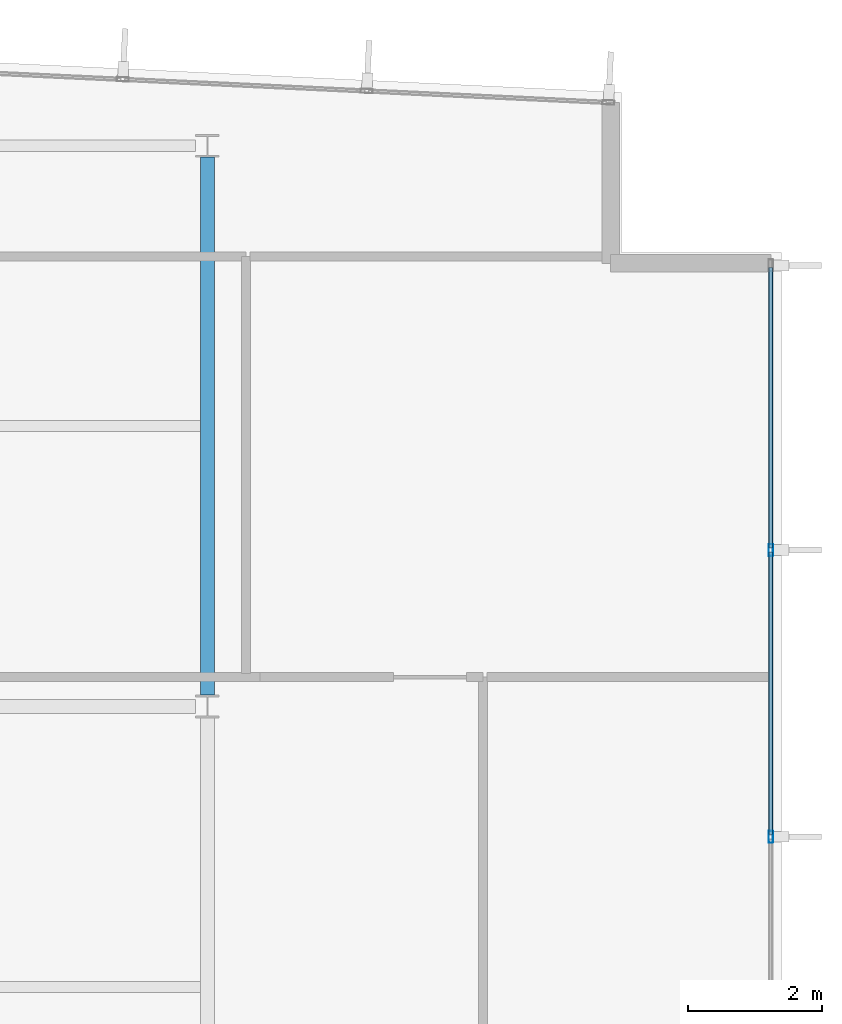
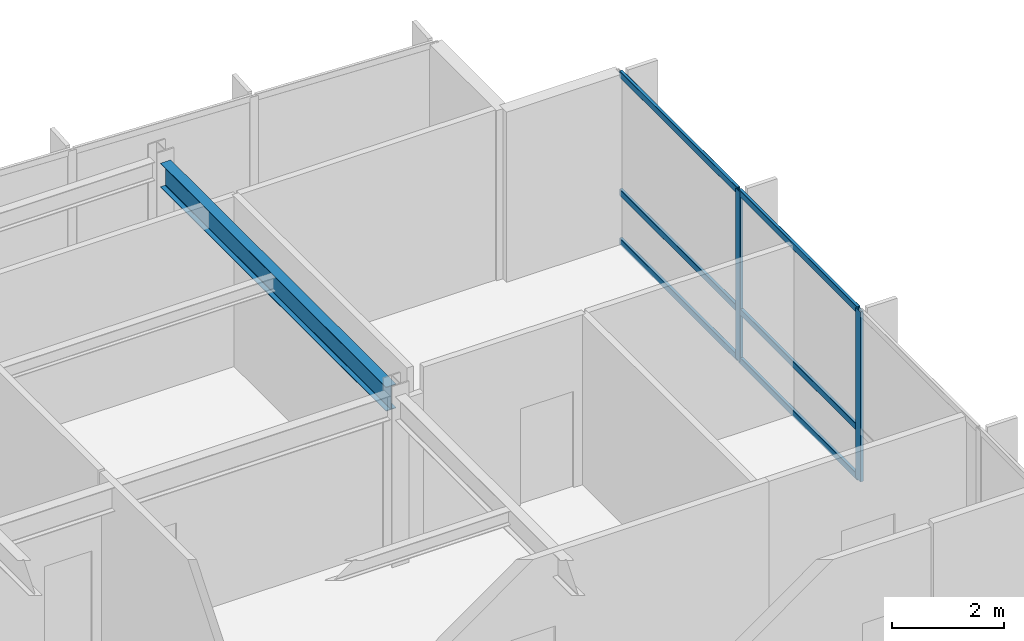
# One storey, part 8 of 16: 8 members, 1 beam, 1 element without a shape of its own.
"""IFC4 building model written with IfcOpenShell, lengths in metres."""

from ifc_helpers import new_model, si_unit, direction, frame, origin, origin_2d, place, context, subcontext, project, spatial, hollow_rectangle, i_section, extrude, material, layer, layer_set, material_profile, profile_set, type_object, element, aggregate, save


model = new_model("IFC4")

# Units and contexts
model_context = context("Model", 3, precision=1e-05, world=origin(), true_north=direction((0.0, 1.0)))
body_context = subcontext(model_context, "Body", "Model", "MODEL_VIEW")
ifc_project = project(units=[si_unit("LENGTHUNIT", "METRE"), si_unit("AREAUNIT", "SQUARE_METRE"), si_unit("VOLUMEUNIT", "CUBIC_METRE"), si_unit("PLANEANGLEUNIT", "RADIAN"), si_unit("MASSUNIT", "GRAM", prefix="KILO")], contexts=[model_context])

# Site, building, storey
site_placement = place(None, origin())
site = spatial("IfcSite", under=ifc_project, at=site_placement, CompositionType="ELEMENT")
building_placement = place(site_placement, origin())
building = spatial("IfcBuilding", under=site, at=building_placement, Name="Varnakote Quay Hospital", CompositionType="ELEMENT")
storey_placement = place(building_placement, frame((0.0, 0.0, 268.39990234375)))
storey = spatial("IfcBuildingStorey", under=building, at=storey_placement, Name="L66", CompositionType="ELEMENT", Elevation=268.39990234375)

# Beam
ifc_material_1 = material(Name="Structural steel AS/NZS 3679.1 Grade 350 L0 (fy 340 MPa)", Category="steel")
ifc_material_profile_1 = material_profile(ifc_material_1, i_section(OverallWidth=0.208984375, OverallDepth=0.528076171875, WebThickness=0.009521484375, FlangeThickness=0.01318359375, FilletRadius=0.013916015625, at=origin_2d()), Name="530UB82.0")
ifc_profile_set_1 = profile_set([ifc_material_profile_1], Name="Structural steel AS/NZS 3679.1 Grade 350 L0 (fy 340 MPa)")
beam_type = type_object("IfcBeamType", Name="BM-STL-530UB82-0", PredefinedType="BEAM", material=ifc_profile_set_1)
beam_placement = place(storey_placement, frame((33.60009765625, 20.570068359375, 3.446044921875), z_axis=(0.0, 1.0, 0.0), x_axis=(-1.0, 0.0, 0.0)))
element("IfcBeam", 1, at=beam_placement, inside=storey, type_object=beam_type, Name="L66 Primary Tie Beam", PredefinedType="BEAM", context=body_context, shape_type="SweptSolid", body=[
    extrude(i_section(OverallWidth=0.208984375, OverallDepth=0.528076171875, WebThickness=0.009521484375, FlangeThickness=0.01318359375, FilletRadius=0.013916015625, at=origin_2d()), origin(), (0.0, 0.0, 1.0), 8.059814453125),
])

# Curtain wall, members
ifc_material_2 = material(Name="Anodised aluminium 6063-T6 Bronze", Category="aluminium")
ifc_layer = layer(ifc_material_2, 0.235107421875)
ifc_layer_set = layer_set([ifc_layer], Name="Anodised aluminium 6063-T6 Bronze")
curtain_wall_type = type_object("IfcCurtainWallType", Name="CW-SYS-5", PredefinedType="NOTDEFINED", material=ifc_layer_set)
curtain_wall_placement = place(storey_placement, origin())
curtain_wall = element("IfcCurtainWall", 2, at=curtain_wall_placement, inside=storey, type_object=curtain_wall_type, Name="L66 Unitised Bronze Curtain Wall 1", PredefinedType="NOTDEFINED")
ifc_material_3 = material(Name="Anodised aluminium 6063-T6 Bronze", Category="aluminium")
ifc_material_profile_2 = material_profile(ifc_material_3, hollow_rectangle(XDim=0.06494140625, YDim=0.179931640625, WallThickness=0.00390625, InnerFilletRadius=0.00390625, OuterFilletRadius=0.008056640625, at=origin_2d()), Name="CW-MULL-180x65")
ifc_profile_set_2 = profile_set([ifc_material_profile_2], Name="Anodised aluminium 6063-T6 Bronze")
member_type_1 = type_object("IfcMemberType", Name="CW-MULL-180x65", PredefinedType="MULLION", material=ifc_profile_set_2)
member_1_placement = place(storey_placement, frame((42.0400390625, 18.447998046875, 0.0), z_axis=(0.0, 0.0, 1.0), x_axis=(-1.0, 0.0, 0.0)))
member_1 = element("IfcMember", 3, at=member_1_placement, type_object=member_type_1, Name="-5-L66-1 mullion 4", PredefinedType="MULLION", context=body_context, shape_type="SweptSolid", body=[
    extrude(hollow_rectangle(XDim=0.06494140625, YDim=0.179931640625, WallThickness=0.00390625, InnerFilletRadius=0.00390625, OuterFilletRadius=0.008056640625, at=origin_2d()), origin(), (0.0, 0.0, 1.0), 3.710205078125),
])
member_2_placement = place(storey_placement, frame((42.0400390625, 22.743896484375, 0.0), z_axis=(0.0, 0.0, 1.0), x_axis=(-1.0, 0.0, 0.0)))
member_2 = element("IfcMember", 4, at=member_2_placement, type_object=member_type_1, Name="-5-L66-1 mullion 5", PredefinedType="MULLION", context=body_context, shape_type="SweptSolid", body=[
    extrude(hollow_rectangle(XDim=0.06494140625, YDim=0.179931640625, WallThickness=0.00390625, InnerFilletRadius=0.00390625, OuterFilletRadius=0.008056640625, at=origin_2d()), origin(), (0.0, 0.0, 1.0), 3.710205078125),
])
ifc_material_4 = material(Name="Anodised aluminium 6063-T6 Bronze", Category="aluminium")
ifc_material_profile_3 = material_profile(ifc_material_4, hollow_rectangle(XDim=0.06494140625, YDim=0.139892578125, WallThickness=0.00390625, InnerFilletRadius=0.00390625, OuterFilletRadius=0.007568359375, at=origin_2d()), Name="CW-TRAN-140x65")
ifc_profile_set_3 = profile_set([ifc_material_profile_3], Name="Anodised aluminium 6063-T6 Bronze")
member_type_2 = type_object("IfcMemberType", Name="CW-TRAN-140x65", PredefinedType="USERDEFINED", material=ifc_profile_set_3)
member_3_placement = place(storey_placement, frame((42.0400390625, 18.48046875, 0.03271484375), z_axis=(0.0, 1.0, 0.0), x_axis=(-1.0, 0.0, 0.0)))
member_3 = element("IfcMember", 5, at=member_3_placement, type_object=member_type_2, Name="-5-L66-1 transom 4.1", ObjectType="TRANSOM", PredefinedType="USERDEFINED", context=body_context, shape_type="SweptSolid", body=[
    extrude(hollow_rectangle(XDim=0.06494140625, YDim=0.139892578125, WallThickness=0.00390625, InnerFilletRadius=0.00390625, OuterFilletRadius=0.007568359375, at=origin_2d()), origin(), (0.0, 0.0, 1.0), 4.23095703125),
])
member_4_placement = place(storey_placement, frame((42.0400390625, 18.48046875, 1.10009765625), z_axis=(0.0, 1.0, 0.0), x_axis=(-1.0, 0.0, 0.0)))
member_4 = element("IfcMember", 6, at=member_4_placement, type_object=member_type_2, Name="-5-L66-1 transom 4.2", ObjectType="TRANSOM", PredefinedType="USERDEFINED", context=body_context, shape_type="SweptSolid", body=[
    extrude(hollow_rectangle(XDim=0.06494140625, YDim=0.139892578125, WallThickness=0.00390625, InnerFilletRadius=0.00390625, OuterFilletRadius=0.007568359375, at=origin_2d()), origin(), (0.0, 0.0, 1.0), 4.23095703125),
])
member_5_placement = place(storey_placement, frame((42.0400390625, 18.48046875, 3.677490234375), z_axis=(0.0, 1.0, 0.0), x_axis=(-1.0, 0.0, 0.0)))
member_5 = element("IfcMember", 7, at=member_5_placement, type_object=member_type_2, Name="-5-L66-1 transom 4.3", ObjectType="TRANSOM", PredefinedType="USERDEFINED", context=body_context, shape_type="SweptSolid", body=[
    extrude(hollow_rectangle(XDim=0.06494140625, YDim=0.139892578125, WallThickness=0.00390625, InnerFilletRadius=0.00390625, OuterFilletRadius=0.007568359375, at=origin_2d()), origin(), (0.0, 0.0, 1.0), 4.23095703125),
])
member_6_placement = place(storey_placement, frame((42.0400390625, 22.776611328125, 0.03271484375), z_axis=(0.0, 1.0, 0.0), x_axis=(-1.0, 0.0, 0.0)))
member_6 = element("IfcMember", 8, at=member_6_placement, type_object=member_type_2, Name="-5-L66-1 transom 5.1", ObjectType="TRANSOM", PredefinedType="USERDEFINED", context=body_context, shape_type="SweptSolid", body=[
    extrude(hollow_rectangle(XDim=0.06494140625, YDim=0.139892578125, WallThickness=0.00390625, InnerFilletRadius=0.00390625, OuterFilletRadius=0.007568359375, at=origin_2d()), origin(), (0.0, 0.0, 1.0), 4.198486328125),
])
member_7_placement = place(storey_placement, frame((42.0400390625, 22.776611328125, 1.10009765625), z_axis=(0.0, 1.0, 0.0), x_axis=(-1.0, 0.0, 0.0)))
member_7 = element("IfcMember", 9, at=member_7_placement, type_object=member_type_2, Name="-5-L66-1 transom 5.2", ObjectType="TRANSOM", PredefinedType="USERDEFINED", context=body_context, shape_type="SweptSolid", body=[
    extrude(hollow_rectangle(XDim=0.06494140625, YDim=0.139892578125, WallThickness=0.00390625, InnerFilletRadius=0.00390625, OuterFilletRadius=0.007568359375, at=origin_2d()), origin(), (0.0, 0.0, 1.0), 4.198486328125),
])
member_8_placement = place(storey_placement, frame((42.0400390625, 22.776611328125, 3.677490234375), z_axis=(0.0, 1.0, 0.0), x_axis=(-1.0, 0.0, 0.0)))
member_8 = element("IfcMember", 10, at=member_8_placement, type_object=member_type_2, Name="-5-L66-1 transom 5.3", ObjectType="TRANSOM", PredefinedType="USERDEFINED", context=body_context, shape_type="SweptSolid", body=[
    extrude(hollow_rectangle(XDim=0.06494140625, YDim=0.139892578125, WallThickness=0.00390625, InnerFilletRadius=0.00390625, OuterFilletRadius=0.007568359375, at=origin_2d()), origin(), (0.0, 0.0, 1.0), 4.198486328125),
])
aggregate(curtain_wall, [member_1, member_2, member_3, member_4, member_5, member_6, member_7, member_8])

save(model, "model.ifc")
